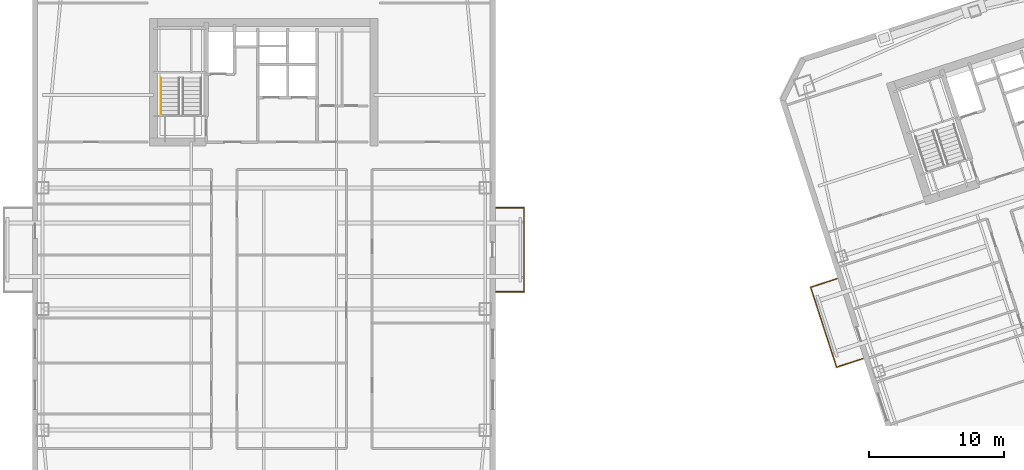
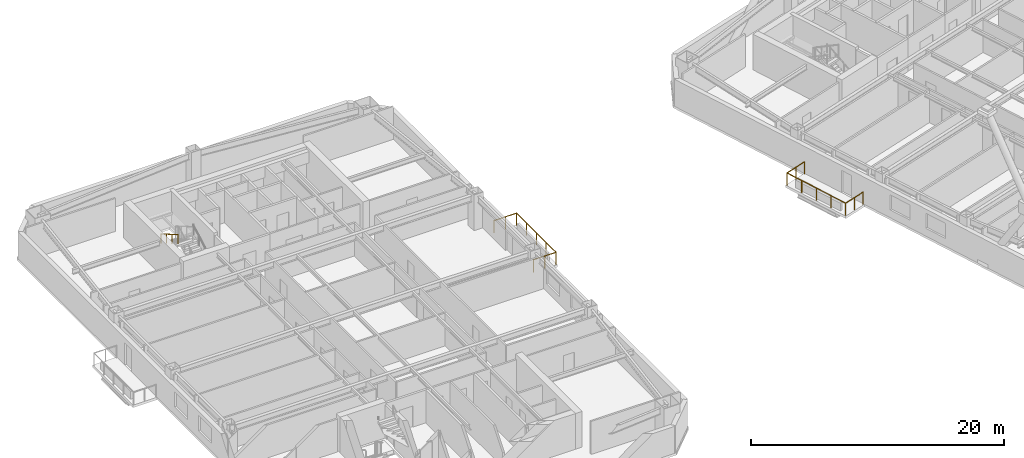
# One storey, part 14 of 17: 3 railings.
"""IFC4 building model written with IfcOpenShell, lengths in metres."""

from ifc_helpers import new_model, si_unit, direction, frame, origin, origin_2d, place, context, subcontext, project, spatial, circle, extrude, material, type_object, element, save


model = new_model("IFC4")

# Units and contexts
model_context = context("Model", 3, precision=1e-05, world=origin(), true_north=direction((0.0, 1.0)))
body_context = subcontext(model_context, "Body", "Model", "MODEL_VIEW")
ifc_project = project(units=[si_unit("LENGTHUNIT", "METRE"), si_unit("AREAUNIT", "SQUARE_METRE"), si_unit("VOLUMEUNIT", "CUBIC_METRE"), si_unit("PLANEANGLEUNIT", "RADIAN"), si_unit("MASSUNIT", "GRAM", prefix="KILO")], contexts=[model_context])

# Site, building, storey
site_placement = place(None, origin())
site = spatial("IfcSite", under=ifc_project, at=site_placement, CompositionType="ELEMENT")
building_placement = place(site_placement, origin())
building = spatial("IfcBuilding", under=site, at=building_placement, Name="Qiaolan Cultural Towers", CompositionType="ELEMENT")
storey_placement = place(building_placement, frame((0.0, 0.0, 177.10009765625)))
storey = spatial("IfcBuildingStorey", under=building, at=storey_placement, Name="L47", CompositionType="ELEMENT", Elevation=177.10009765625)

# Railings
ifc_material_1 = material(Name="Laminated SentryGlas & Stainless Steel S31608 Balustrade", Category="steel")
railing_type_1 = type_object("IfcRailingType", Name="GRD-TERR-1200", PredefinedType="BALUSTRADE", material=ifc_material_1)
railing_1_placement = place(storey_placement, frame((47.25, 35.280029296875, 0.0)))
element("IfcRailing", 1, at=railing_1_placement, inside=storey, type_object=railing_type_1, Name="L47 T1 Tree Balcony Guardrail E", PredefinedType="BALUSTRADE", context=body_context, shape_type="SweptSolid", body=[
    extrude(circle(Radius=0.02392578125, at=origin_2d()), frame((0.0, 0.0, 1.17578125), z_axis=(1.0, 0.0, 0.0), x_axis=(0.0, 1.0, 0.0)), (0.0, 0.0, 1.0), 2.070068359375),
    extrude(circle(Radius=0.02392578125, at=origin_2d()), frame((2.070068359375, 0.0, 1.17578125), z_axis=(0.0, 1.0, 0.0), x_axis=(-1.0, 0.0, 0.0)), (0.0, 0.0, 1.0), 6.239990234375),
    extrude(circle(Radius=0.02392578125, at=origin_2d()), frame((2.070068359375, 6.239990234375, 1.17578125), z_axis=(-1.0, 0.0, 0.0), x_axis=(0.0, -1.0, 0.0)), (0.0, 0.0, 1.0), 2.070068359375),
    extrude(circle(Radius=0.02099609375, at=origin_2d()), origin(), (0.0, 0.0, 1.0), 1.15185546875),
    extrude(circle(Radius=0.02099609375, at=origin_2d()), frame((1.03515625, 0.0, 0.0)), (0.0, 0.0, 1.0), 1.15185546875),
    extrude(circle(Radius=0.02099609375, at=origin_2d()), frame((2.070068359375, 0.0, 0.0)), (0.0, 0.0, 1.0), 1.15185546875),
    extrude(circle(Radius=0.02099609375, at=origin_2d()), frame((2.070068359375, 1.56005859375, 0.0)), (0.0, 0.0, 1.0), 1.15185546875),
    extrude(circle(Radius=0.02099609375, at=origin_2d()), frame((2.070068359375, 3.1201171875, 0.0)), (0.0, 0.0, 1.0), 1.15185546875),
    extrude(circle(Radius=0.02099609375, at=origin_2d()), frame((2.070068359375, 4.679931640625, 0.0)), (0.0, 0.0, 1.0), 1.15185546875),
    extrude(circle(Radius=0.02099609375, at=origin_2d()), frame((2.070068359375, 6.239990234375, 0.0)), (0.0, 0.0, 1.0), 1.15185546875),
    extrude(circle(Radius=0.02099609375, at=origin_2d()), frame((1.03515625, 6.239990234375, 0.0)), (0.0, 0.0, 1.0), 1.15185546875),
    extrude(circle(Radius=0.02099609375, at=origin_2d()), frame((0.0, 6.239990234375, 0.0)), (0.0, 0.0, 1.0), 1.15185546875),
])
railing_2_placement = place(storey_placement, frame((74.5302734375, 30.3193359375, 0.0)))
element("IfcRailing", 2, at=railing_2_placement, inside=storey, type_object=railing_type_1, Name="L47 T2 Tree Balcony Guardrail W", PredefinedType="BALUSTRADE", context=body_context, shape_type="SweptSolid", body=[
    extrude(circle(Radius=0.02392578125, at=origin_2d()), frame((0.0, 0.0, 1.17578125), z_axis=(-0.951061799618, -0.309000733507, 0.0), x_axis=(0.309000733507, -0.951061799618, 0.0)), (0.0, 0.0, 1.0), 2.070068359375),
    extrude(circle(Radius=0.02392578125, at=origin_2d()), frame((-1.96875, -0.6396484375, 1.17578125), z_axis=(-0.30901175762, 0.951058217804, 0.0), x_axis=(-0.951058217804, -0.30901175762, 0.0)), (0.0, 0.0, 1.0), 6.239990234375),
    extrude(circle(Radius=0.02392578125, at=origin_2d()), frame((-3.89697265625, 5.294921875, 1.17578125), z_axis=(0.951061799618, 0.309000733507, 0.0), x_axis=(-0.309000733507, 0.951061799618, 0.0)), (0.0, 0.0, 1.0), 2.070068359375),
    extrude(circle(Radius=0.02099609375, at=origin_2d()), origin(), (0.0, 0.0, 1.0), 1.15185546875),
    extrude(circle(Radius=0.02099609375, at=origin_2d()), frame((-0.984375, -0.31982421875, 0.0)), (0.0, 0.0, 1.0), 1.15185546875),
    extrude(circle(Radius=0.02099609375, at=origin_2d()), frame((-1.96875, -0.6396484375, 0.0)), (0.0, 0.0, 1.0), 1.15185546875),
    extrude(circle(Radius=0.02099609375, at=origin_2d()), frame((-2.45068359375, 0.843994140625, 0.0)), (0.0, 0.0, 1.0), 1.15185546875),
    extrude(circle(Radius=0.02099609375, at=origin_2d()), frame((-2.932861328125, 2.32763671875, 0.0)), (0.0, 0.0, 1.0), 1.15185546875),
    extrude(circle(Radius=0.02099609375, at=origin_2d()), frame((-3.4150390625, 3.811279296875, 0.0)), (0.0, 0.0, 1.0), 1.15185546875),
    extrude(circle(Radius=0.02099609375, at=origin_2d()), frame((-3.89697265625, 5.294921875, 0.0)), (0.0, 0.0, 1.0), 1.15185546875),
    extrude(circle(Radius=0.02099609375, at=origin_2d()), frame((-2.91259765625, 5.61474609375, 0.0)), (0.0, 0.0, 1.0), 1.15185546875),
    extrude(circle(Radius=0.02099609375, at=origin_2d()), frame((-1.92822265625, 5.9345703125, 0.0)), (0.0, 0.0, 1.0), 1.15185546875),
])
ifc_material_2 = material(Name="Stainless Steel S30408 Tubular Handrail", Category="steel")
railing_type_2 = type_object("IfcRailingType", Name="RL-STAIR-HR", PredefinedType="HANDRAIL", material=ifc_material_2)
railing_3_placement = place(storey_placement, frame((22.35009765625, 51.14990234375, 1.8974609375)))
element("IfcRailing", 3, at=railing_3_placement, inside=storey, type_object=railing_type_2, Name="L47 ST-W2 stair handrail 2", PredefinedType="HANDRAIL", context=body_context, shape_type="SweptSolid", body=[
    extrude(circle(Radius=0.02392578125, at=origin_2d()), frame((0.0, 0.0, 0.8759765625), z_axis=(0.0, -0.866903762492, 0.498475542607), x_axis=(1.0, 0.0, 0.0)), (0.0, 0.0, 1.0), 3.114501953125),
    extrude(circle(Radius=0.02099609375, at=origin_2d()), origin(), (0.0, 0.0, 1.0), 0.851806640625),
    extrude(circle(Radius=0.02099609375, at=origin_2d()), frame((0.0, -0.89990234375, 0.517578125)), (0.0, 0.0, 1.0), 0.851806640625),
    extrude(circle(Radius=0.02099609375, at=origin_2d()), frame((0.0, -1.800048828125, 1.034912109375)), (0.0, 0.0, 1.0), 0.851806640625),
    extrude(circle(Radius=0.02099609375, at=origin_2d()), frame((0.0, -2.699951171875, 1.552490234375)), (0.0, 0.0, 1.0), 0.851806640625),
])

save(model, "model.ifc")
